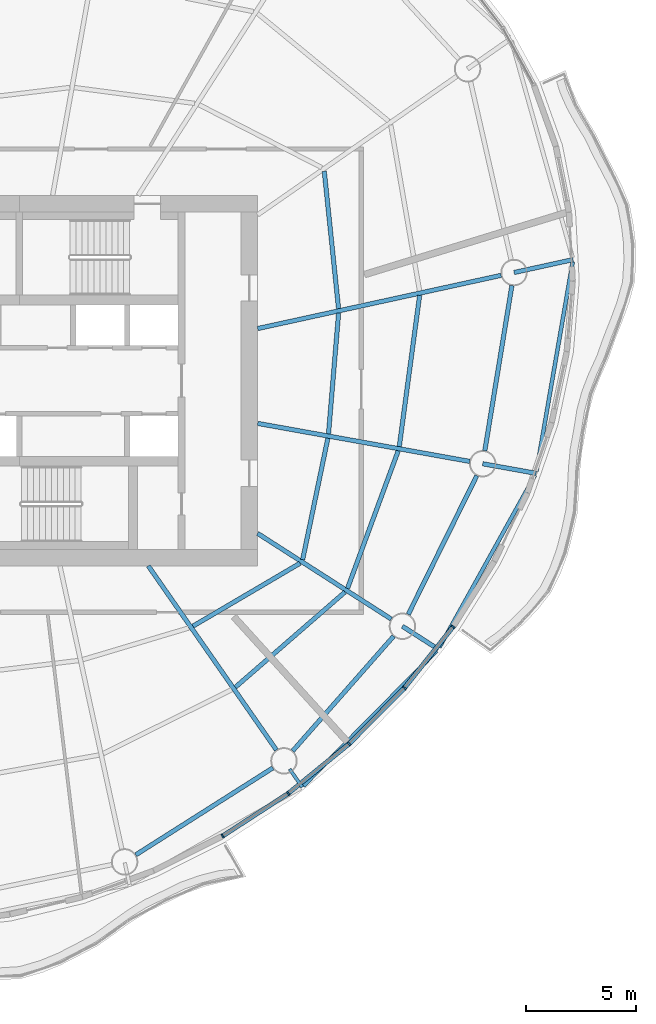
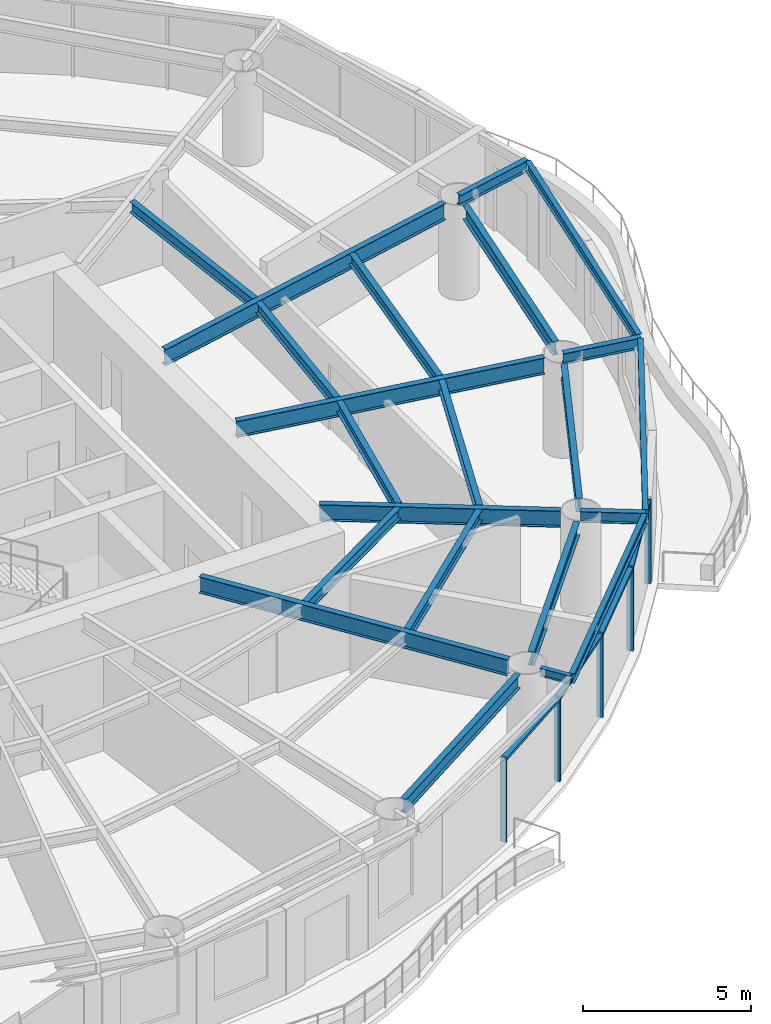
# One storey, part 4 of 14: 22 beams, 9 members, 4 elements without a shape of their own.
"""IFC4 building model written with IfcOpenShell, lengths in metres."""

from ifc_helpers import new_model, si_unit, direction, frame, origin, origin_2d, place, context, subcontext, project, spatial, rectangle, i_section, extrude, material, material_profile, profile_set, type_object, element, aggregate, save


model = new_model("IFC4")

# Units and contexts
model_context = context("Model", 3, precision=1e-05, world=origin(), true_north=direction((0.0, 1.0)))
body_context = subcontext(model_context, "Body", "Model", "MODEL_VIEW")
ifc_project = project(units=[si_unit("LENGTHUNIT", "METRE"), si_unit("AREAUNIT", "SQUARE_METRE"), si_unit("VOLUMEUNIT", "CUBIC_METRE"), si_unit("PLANEANGLEUNIT", "RADIAN"), si_unit("MASSUNIT", "GRAM", prefix="KILO")], contexts=[model_context])

# Site, building, storey
site_placement = place(None, origin())
site = spatial("IfcSite", under=ifc_project, at=site_placement, CompositionType="ELEMENT")
building_placement = place(site_placement, origin())
building = spatial("IfcBuilding", under=site, at=building_placement, Name="Vermilion Reach Broadcast Tower", CompositionType="ELEMENT")
storey_placement = place(building_placement, frame((0.0, 0.0, 202.89990234375)))
storey = spatial("IfcBuildingStorey", under=building, at=storey_placement, Name="L49", CompositionType="ELEMENT", Elevation=202.89990234375)

# Beams
ifc_material_1 = material(Name="Steel S355J2", Category="steel")
ifc_material_profile_1 = material_profile(ifc_material_1, i_section(OverallWidth=0.175048828125, OverallDepth=0.35009765625, WebThickness=0.007080078125, FlangeThickness=0.010986328125, at=origin_2d()), Name="S355J2 HN 350x175x7x11")
ifc_profile_set_1 = profile_set([ifc_material_profile_1], Name="Steel S355J2")
beam_type_1 = type_object("IfcBeamType", Name="EB4 HN 350x175x7x11", PredefinedType="BEAM", material=ifc_profile_set_1)
beam_1_placement = place(storey_placement, frame((6.875732421875, -18.373779296875, 3.275146484375), z_axis=(0.702580479624, 0.711604292884, 0.0), x_axis=(-0.711604292884, 0.702580479624, 0.0)))
element("IfcBeam", 1, at=beam_1_placement, inside=storey, type_object=beam_type_1, Name="Edge beam EB4-12", PredefinedType="BEAM", context=body_context, shape_type="SweptSolid", body=[
    extrude(i_section(OverallWidth=0.175048828125, OverallDepth=0.35009765625, WebThickness=0.007080078125, FlangeThickness=0.010986328125, at=origin_2d()), origin(), (0.0, 0.0, 1.0), 8.603515625),
])
beam_2_placement = place(storey_placement, frame((13.040771484375, -12.091064453125, 3.275146484375), z_axis=(0.485691735512, 0.87413016082, 0.0), x_axis=(-0.87413016082, 0.485691735512, 0.0)))
element("IfcBeam", 2, at=beam_2_placement, inside=storey, type_object=beam_type_1, Name="Edge beam EB4-13", PredefinedType="BEAM", context=body_context, shape_type="SweptSolid", body=[
    extrude(i_section(OverallWidth=0.175048828125, OverallDepth=0.35009765625, WebThickness=0.007080078125, FlangeThickness=0.010986328125, at=origin_2d()), origin(), (0.0, 0.0, 1.0), 8.919189453125),
])
beam_3_placement = place(storey_placement, frame((17.441162109375, -4.103515625, 3.275146484375), z_axis=(0.170557536441, 0.985347718708, 0.0), x_axis=(-0.985347718708, 0.170557536441, 0.0)))
element("IfcBeam", 3, at=beam_3_placement, inside=storey, type_object=beam_type_1, Name="Edge beam EB4-14", PredefinedType="BEAM", context=body_context, shape_type="SweptSolid", body=[
    extrude(i_section(OverallWidth=0.175048828125, OverallDepth=0.35009765625, WebThickness=0.007080078125, FlangeThickness=0.010986328125, at=origin_2d()), origin(), (0.0, 0.0, 1.0), 9.625),
])
ifc_material_2 = material(Name="Steel S355J2", Category="steel")
ifc_material_profile_2 = material_profile(ifc_material_2, i_section(OverallWidth=0.199951171875, OverallDepth=0.60009765625, WebThickness=0.010986328125, FlangeThickness=0.01708984375, at=origin_2d()), Name="S355J2 HN 600x200x11x17")
ifc_profile_set_2 = profile_set([ifc_material_profile_2], Name="Steel S355J2")
beam_type_2 = type_object("IfcBeamType", Name="G4 HN 600x200x11x17", PredefinedType="BEAM", material=ifc_profile_set_2)
beam_4_placement = place(storey_placement, frame((-0.1552734375, -8.39990234375, 3.150146484375), z_axis=(0.571134149017, -0.8208567377, 0.0), x_axis=(0.8208567377, 0.571134149017, 0.0)))
element("IfcBeam", 4, at=beam_4_placement, inside=storey, type_object=beam_type_2, Name="Girder G4-12", PredefinedType="BEAM", context=body_context, shape_type="SweptSolid", body=[
    extrude(i_section(OverallWidth=0.199951171875, OverallDepth=0.60009765625, WebThickness=0.010986328125, FlangeThickness=0.01708984375, at=origin_2d()), origin(), (0.0, 0.0, 1.0), 10.16552734375),
])
beam_5_placement = place(storey_placement, frame((4.800048828125, -6.925537109375, 3.150146484375), z_axis=(0.841798504642, -0.539791883584, 0.0), x_axis=(0.539791883584, 0.841798504642, 0.0)))
element("IfcBeam", 5, at=beam_5_placement, inside=storey, type_object=beam_type_2, Name="Girder G4-13", PredefinedType="BEAM", context=body_context, shape_type="SweptSolid", body=[
    extrude(i_section(OverallWidth=0.199951171875, OverallDepth=0.60009765625, WebThickness=0.010986328125, FlangeThickness=0.01708984375, at=origin_2d()), origin(), (0.0, 0.0, 1.0), 7.1962890625),
])
beam_6_placement = place(storey_placement, frame((4.800048828125, -1.9375, 3.150146484375), z_axis=(0.984291153273, -0.176552897422, 0.0), x_axis=(0.176552897422, 0.984291153273, 0.0)))
element("IfcBeam", 6, at=beam_6_placement, inside=storey, type_object=beam_type_2, Name="Girder G4-14", PredefinedType="BEAM", context=body_context, shape_type="SweptSolid", body=[
    extrude(i_section(OverallWidth=0.199951171875, OverallDepth=0.60009765625, WebThickness=0.010986328125, FlangeThickness=0.01708984375, at=origin_2d()), origin(), (0.0, 0.0, 1.0), 9.765380859375),
])
beam_7_placement = place(storey_placement, frame((4.800048828125, 2.360595703125, 3.150146484375), z_axis=(0.976930175286, 0.213558967537, 0.0), x_axis=(-0.213558967537, 0.976930175286, 0.0)))
element("IfcBeam", 7, at=beam_7_placement, inside=storey, type_object=beam_type_2, Name="Girder G4-15", PredefinedType="BEAM", context=body_context, shape_type="SweptSolid", body=[
    extrude(i_section(OverallWidth=0.199951171875, OverallDepth=0.60009765625, WebThickness=0.010986328125, FlangeThickness=0.01708984375, at=origin_2d()), origin(), (0.0, 0.0, 1.0), 11.29833984375),
])
ifc_material_3 = material(Name="Steel S355J2", Category="steel")
ifc_material_profile_3 = material_profile(ifc_material_3, i_section(OverallWidth=0.199951171875, OverallDepth=0.39990234375, WebThickness=0.008056640625, FlangeThickness=0.012939453125, at=origin_2d()), Name="S355J2 HN 400x200x8x13")
ifc_profile_set_3 = profile_set([ifc_material_profile_3], Name="Steel S355J2")
beam_type_3 = type_object("IfcBeamType", Name="GC4 HN 400x200x8x13", PredefinedType="BEAM", material=ifc_profile_set_3)
beam_8_placement = place(storey_placement, frame((11.36279296875, -11.134033203125, 3.25), z_axis=(0.841833583484, -0.539737174667, 0.0), x_axis=(0.539737174667, 0.841833583484, 0.0)))
element("IfcBeam", 8, at=beam_8_placement, inside=storey, type_object=beam_type_3, Name="Cantilever girder GC4-13", PredefinedType="BEAM", context=body_context, shape_type="SweptSolid", body=[
    extrude(i_section(OverallWidth=0.199951171875, OverallDepth=0.39990234375, WebThickness=0.008056640625, FlangeThickness=0.012939453125, at=origin_2d()), origin(), (0.0, 0.0, 1.0), 1.935546875),
])
beam_9_placement = place(storey_placement, frame((15.002685546875, -3.767578125, 3.25), z_axis=(0.984291112535, -0.176553124541, 0.0), x_axis=(0.176553124541, 0.984291112535, 0.0)))
element("IfcBeam", 9, at=beam_9_placement, inside=storey, type_object=beam_type_3, Name="Cantilever girder GC4-14", PredefinedType="BEAM", context=body_context, shape_type="SweptSolid", body=[
    extrude(i_section(OverallWidth=0.199951171875, OverallDepth=0.39990234375, WebThickness=0.008056640625, FlangeThickness=0.012939453125, at=origin_2d()), origin(), (0.0, 0.0, 1.0), 2.4599609375),
])
beam_10_placement = place(storey_placement, frame((16.423828125, 4.9013671875, 3.25), z_axis=(0.976919190568, 0.213609211177, 0.0), x_axis=(-0.213609211177, 0.976919190568, 0.0)))
element("IfcBeam", 10, at=beam_10_placement, inside=storey, type_object=beam_type_3, Name="Cantilever girder GC4-15", PredefinedType="BEAM", context=body_context, shape_type="SweptSolid", body=[
    extrude(i_section(OverallWidth=0.199951171875, OverallDepth=0.39990234375, WebThickness=0.008056640625, FlangeThickness=0.012939453125, at=origin_2d()), origin(), (0.0, 0.0, 1.0), 2.74072265625),
])
ifc_material_4 = material(Name="Steel S355J2", Category="steel")
ifc_material_profile_4 = material_profile(ifc_material_4, i_section(OverallWidth=0.14990234375, OverallDepth=0.300048828125, WebThickness=0.006591796875, FlangeThickness=0.009033203125, at=origin_2d()), Name="S355J2 HN 300x150x6.5x9")
ifc_profile_set_4 = profile_set([ifc_material_profile_4], Name="Steel S355J2")
beam_type_4 = type_object("IfcBeamType", Name="GS4 HN 300x150x6.5x9", PredefinedType="BEAM", material=ifc_profile_set_4)
beam_11_placement = place(storey_placement, frame((6.2509765625, -17.607177734375, 3.300048828125), z_axis=(0.571150302207, -0.820845498428, 0.0), x_axis=(0.820845498428, 0.571150302207, 0.0)))
element("IfcBeam", 11, at=beam_11_placement, inside=storey, type_object=beam_type_4, Name="Cantilever stub GS4-12", PredefinedType="BEAM", context=body_context, shape_type="SweptSolid", body=[
    extrude(i_section(OverallWidth=0.14990234375, OverallDepth=0.300048828125, WebThickness=0.006591796875, FlangeThickness=0.009033203125, at=origin_2d()), origin(), (0.0, 0.0, 1.0), 1.000244140625),
])
ifc_material_5 = material(Name="Steel S355J2", Category="steel")
ifc_material_profile_5 = material_profile(ifc_material_5, i_section(OverallWidth=0.199951171875, OverallDepth=0.5, WebThickness=0.010009765625, FlangeThickness=0.01611328125, at=origin_2d()), Name="S355J2 HN 500x200x10x16")
ifc_profile_set_5 = profile_set([ifc_material_profile_5], Name="Steel S355J2")
beam_type_5 = type_object("IfcBeamType", Name="RB4 HN 500x200x10x16", PredefinedType="BEAM", material=ifc_profile_set_5)
beam_12_placement = place(storey_placement, frame((-0.72412109375, -21.497314453125, 3.2001953125), z_axis=(0.84446426774, 0.535611893549, 0.0), x_axis=(-0.535611893549, 0.84446426774, 0.0)))
element("IfcBeam", 12, at=beam_12_placement, inside=storey, type_object=beam_type_5, Name="Ring beam RB4-11", PredefinedType="BEAM", context=body_context, shape_type="SweptSolid", body=[
    extrude(i_section(OverallWidth=0.199951171875, OverallDepth=0.5, WebThickness=0.010009765625, FlangeThickness=0.01611328125, at=origin_2d()), origin(), (0.0, 0.0, 1.0), 7.3544921875),
])
beam_13_placement = place(storey_placement, frame((6.3896484375, -16.786376953125, 3.2001953125), z_axis=(0.660565141761, 0.750768735024, 0.0), x_axis=(-0.750768735024, 0.660565141761, 0.0)))
element("IfcBeam", 13, at=beam_13_placement, inside=storey, type_object=beam_type_5, Name="Ring beam RB4-12", PredefinedType="BEAM", context=body_context, shape_type="SweptSolid", body=[
    extrude(i_section(OverallWidth=0.199951171875, OverallDepth=0.5, WebThickness=0.010009765625, FlangeThickness=0.01611328125, at=origin_2d()), origin(), (0.0, 0.0, 1.0), 6.9287109375),
])
beam_14_placement = place(storey_placement, frame((11.628662109375, -10.595947265625, 3.2001953125), z_axis=(0.442977497199, 0.896532730566, 0.0), x_axis=(-0.896532730566, 0.442977497199, 0.0)))
element("IfcBeam", 14, at=beam_14_placement, inside=storey, type_object=beam_type_5, Name="Ring beam RB4-13", PredefinedType="BEAM", context=body_context, shape_type="SweptSolid", body=[
    extrude(i_section(OverallWidth=0.199951171875, OverallDepth=0.5, WebThickness=0.010009765625, FlangeThickness=0.01611328125, at=origin_2d()), origin(), (0.0, 0.0, 1.0), 7.0166015625),
])
beam_15_placement = place(storey_placement, frame((15.099609375, -3.175537109375, 3.2001953125), z_axis=(0.161778110263, 0.986827159659, 0.0), x_axis=(-0.986827159659, 0.161778110263, 0.0)))
element("IfcBeam", 15, at=beam_15_placement, inside=storey, type_object=beam_type_5, Name="Ring beam RB4-14", PredefinedType="BEAM", context=body_context, shape_type="SweptSolid", body=[
    extrude(i_section(OverallWidth=0.199951171875, OverallDepth=0.5, WebThickness=0.010009765625, FlangeThickness=0.01611328125, at=origin_2d()), origin(), (0.0, 0.0, 1.0), 7.584716796875),
])
ifc_material_6 = material(Name="Steel S355J2", Category="steel")
ifc_material_profile_6 = material_profile(ifc_material_6, i_section(OverallWidth=0.199951171875, OverallDepth=0.39990234375, WebThickness=0.008056640625, FlangeThickness=0.012939453125, at=origin_2d()), Name="S355J2 HN 400x200x8x13")
ifc_profile_set_6 = profile_set([ifc_material_profile_6], Name="Steel S355J2")
beam_type_6 = type_object("IfcBeamType", Name="SB4 HN 400x200x8x13", PredefinedType="BEAM", material=ifc_profile_set_6)
beam_16_placement = place(storey_placement, frame((1.866455078125, -11.130615234375, 3.25), z_axis=(0.862172572268, 0.506614701356, 0.0), x_axis=(-0.506614701356, 0.862172572268, 0.0)))
element("IfcBeam", 16, at=beam_16_placement, inside=storey, type_object=beam_type_6, Name="Secondary beam SB4-12-1", PredefinedType="BEAM", context=body_context, shape_type="SweptSolid", body=[
    extrude(i_section(OverallWidth=0.199951171875, OverallDepth=0.39990234375, WebThickness=0.008056640625, FlangeThickness=0.012939453125, at=origin_2d()), origin(), (0.0, 0.0, 1.0), 5.632568359375),
])
beam_17_placement = place(storey_placement, frame((3.791259765625, -13.89697265625, 3.25), z_axis=(0.755129308567, 0.655575874589, 0.0), x_axis=(-0.655575874589, 0.755129308567, 0.0)))
element("IfcBeam", 17, at=beam_17_placement, inside=storey, type_object=beam_type_6, Name="Secondary beam SB4-12-2", PredefinedType="BEAM", context=body_context, shape_type="SweptSolid", body=[
    extrude(i_section(OverallWidth=0.199951171875, OverallDepth=0.39990234375, WebThickness=0.008056640625, FlangeThickness=0.012939453125, at=origin_2d()), origin(), (0.0, 0.0, 1.0), 6.57958984375),
])
beam_18_placement = place(storey_placement, frame((6.841064453125, -8.115478515625, 3.25), z_axis=(0.20320860258, 0.979135467562, 0.0), x_axis=(-0.979135467562, 0.20320860258, 0.0)))
element("IfcBeam", 18, at=beam_18_placement, inside=storey, type_object=beam_type_6, Name="Secondary beam SB4-13-1", PredefinedType="BEAM", context=body_context, shape_type="SweptSolid", body=[
    extrude(i_section(OverallWidth=0.199951171875, OverallDepth=0.39990234375, WebThickness=0.008056640625, FlangeThickness=0.012939453125, at=origin_2d()), origin(), (0.0, 0.0, 1.0), 5.622802734375),
])
beam_19_placement = place(storey_placement, frame((8.8740234375, -9.419189453125, 3.25), z_axis=(0.345833008621, 0.938296078084, 0.0), x_axis=(-0.938296078084, 0.345833008621, 0.0)))
element("IfcBeam", 19, at=beam_19_placement, inside=storey, type_object=beam_type_6, Name="Secondary beam SB4-13-2", PredefinedType="BEAM", context=body_context, shape_type="SweptSolid", body=[
    extrude(i_section(OverallWidth=0.199951171875, OverallDepth=0.39990234375, WebThickness=0.008056640625, FlangeThickness=0.012939453125, at=origin_2d()), origin(), (0.0, 0.0, 1.0), 6.647216796875),
])
beam_20_placement = place(storey_placement, frame((8.012451171875, -2.412109375, 3.25), z_axis=(0.08339866655, 0.996516262997, 0.0), x_axis=(-0.996516262997, 0.08339866655, 0.0)))
element("IfcBeam", 20, at=beam_20_placement, inside=storey, type_object=beam_type_6, Name="Secondary beam SB4-14-1", PredefinedType="BEAM", context=body_context, shape_type="SweptSolid", body=[
    extrude(i_section(OverallWidth=0.199951171875, OverallDepth=0.39990234375, WebThickness=0.008056640625, FlangeThickness=0.012939453125, at=origin_2d()), origin(), (0.0, 0.0, 1.0), 5.49169921875),
])
beam_21_placement = place(storey_placement, frame((11.221435546875, -2.98779296875, 3.25), z_axis=(0.133486718782, 0.991050602093, 0.0), x_axis=(-0.991050602093, 0.133486718782, 0.0)))
element("IfcBeam", 21, at=beam_21_placement, inside=storey, type_object=beam_type_6, Name="Secondary beam SB4-14-2", PredefinedType="BEAM", context=body_context, shape_type="SweptSolid", body=[
    extrude(i_section(OverallWidth=0.199951171875, OverallDepth=0.39990234375, WebThickness=0.008056640625, FlangeThickness=0.012939453125, at=origin_2d()), origin(), (0.0, 0.0, 1.0), 6.913330078125),
])
beam_22_placement = place(storey_placement, frame((8.46875, 3.264892578125, 3.25), z_axis=(-0.103532173355, 0.994626105167, 0.0), x_axis=(-0.994626105167, -0.103532173355, 0.0)))
element("IfcBeam", 22, at=beam_22_placement, inside=storey, type_object=beam_type_6, Name="Secondary beam SB4-15-1", PredefinedType="BEAM", context=body_context, shape_type="SweptSolid", body=[
    extrude(i_section(OverallWidth=0.199951171875, OverallDepth=0.39990234375, WebThickness=0.008056640625, FlangeThickness=0.012939453125, at=origin_2d()), origin(), (0.0, 0.0, 1.0), 6.26318359375),
])

# Curtain wall, member
ifc_material_7 = material(Name="Low-e laminated clear glass in aluminium frame", Category="aluminium")
curtain_wall_type = type_object("IfcCurtainWallType", Name="Slot curtain wall", PredefinedType="NOTDEFINED", material=ifc_material_7)
placement = place(storey_placement, origin())
curtain_wall_1 = element("IfcCurtainWall", 23, at=placement, inside=storey, type_object=curtain_wall_type, Name="Slot curtain wall L49 34", PredefinedType="NOTDEFINED")
ifc_material_8 = material(Name="Anodised aluminium", Category="aluminium")
ifc_material_profile_7 = material_profile(ifc_material_8, rectangle(XDim=0.199951171875, YDim=0.080078125, at=origin_2d()), Name="Slot mullion 80 x 200")
ifc_profile_set_7 = profile_set([ifc_material_profile_7], Name="Anodised aluminium")
member_type_1 = type_object("IfcMemberType", Name="Slot mullion 80 x 200", PredefinedType="MULLION", material=ifc_profile_set_7)
member_1_placement = place(storey_placement, frame((3.21533203125, -20.642822265625, 0.0), z_axis=(0.0, 0.0, 1.0), x_axis=(-0.497564622202, 0.867426911465, 0.0)))
member_1 = element("IfcMember", 24, at=member_1_placement, type_object=member_type_1, Name="Slot mullion L49 34", PredefinedType="MULLION", context=body_context, shape_type="SweptSolid", body=[
    extrude(rectangle(XDim=0.199951171875, YDim=0.080078125, at=origin_2d()), origin(), (0.0, 0.0, 1.0), 3.050048828125),
])

curtain_wall_2 = element("IfcCurtainWall", 25, at=placement, inside=storey, type_object=curtain_wall_type, Name="Slot curtain wall L49 35", PredefinedType="NOTDEFINED")
member_2_placement = place(storey_placement, frame((6.18701171875, -18.714111328125, 0.0), z_axis=(0.0, 0.0, 1.0), x_axis=(-0.588830639334, 0.808256443328, 0.0)))
member_2 = element("IfcMember", 26, at=member_2_placement, type_object=member_type_1, Name="Slot mullion L49 35", PredefinedType="MULLION", context=body_context, shape_type="SweptSolid", body=[
    extrude(rectangle(XDim=0.199951171875, YDim=0.080078125, at=origin_2d()), origin(), (0.0, 0.0, 1.0), 3.050048828125),
])

curtain_wall_3 = element("IfcCurtainWall", 27, at=placement, inside=storey, type_object=curtain_wall_type, Name="Slot curtain wall L49 36", PredefinedType="NOTDEFINED")
member_3_placement = place(storey_placement, frame((8.949462890625, -16.4638671875, 0.0), z_axis=(0.0, 0.0, 1.0), x_axis=(-0.672237540502, 0.740335524705, 0.0)))
member_3 = element("IfcMember", 28, at=member_3_placement, type_object=member_type_1, Name="Slot mullion L49 36", PredefinedType="MULLION", context=body_context, shape_type="SweptSolid", body=[
    extrude(rectangle(XDim=0.199951171875, YDim=0.080078125, at=origin_2d()), origin(), (0.0, 0.0, 1.0), 3.050048828125),
])

# Curtain wall, members
curtain_wall_4 = element("IfcCurtainWall", 29, at=placement, inside=storey, type_object=curtain_wall_type, Name="Slot curtain wall L49 37", PredefinedType="NOTDEFINED")
member_4_placement = place(storey_placement, frame((11.455078125, -13.9306640625, 0.0), z_axis=(0.0, 0.0, 1.0), x_axis=(-0.747866767574, 0.663848851742, 0.0)))
member_4 = element("IfcMember", 30, at=member_4_placement, type_object=member_type_1, Name="Slot mullion L49 37", PredefinedType="MULLION", context=body_context, shape_type="SweptSolid", body=[
    extrude(rectangle(XDim=0.199951171875, YDim=0.080078125, at=origin_2d()), origin(), (0.0, 0.0, 1.0), 3.050048828125),
])
member_5_placement = place(storey_placement, frame((13.66064453125, -11.158203125, 0.0), z_axis=(0.0, 0.0, 1.0), x_axis=(-0.815542088164, 0.578697764324, 0.0)))
member_5 = element("IfcMember", 31, at=member_5_placement, type_object=member_type_1, Name="Slot mullion L49 38", PredefinedType="MULLION", context=body_context, shape_type="SweptSolid", body=[
    extrude(rectangle(XDim=0.199951171875, YDim=0.080078125, at=origin_2d()), origin(), (0.0, 0.0, 1.0), 3.050048828125),
])

# Member
ifc_material_9 = material(Name="Anodised aluminium", Category="aluminium")
ifc_material_profile_8 = material_profile(ifc_material_9, rectangle(XDim=0.199951171875, YDim=0.10009765625, at=origin_2d()), Name="Slot transom 200 x 100")
ifc_profile_set_8 = profile_set([ifc_material_profile_8], Name="Anodised aluminium")
member_type_2 = type_object("IfcMemberType", Name="Slot transom 200 x 100", PredefinedType="USERDEFINED", material=ifc_profile_set_8)
member_6_placement = place(storey_placement, frame((3.2490234375, -20.620849609375, 3.0), z_axis=(0.838863827656, 0.544341325503, 0.0), x_axis=(-0.544341325503, 0.838863827656, 0.0)))
member_6 = element("IfcMember", 32, at=member_6_placement, type_object=member_type_2, Name="Slot transom L49 34.1", ObjectType="TRANSOM", PredefinedType="USERDEFINED", context=body_context, shape_type="SweptSolid", body=[
    extrude(rectangle(XDim=0.199951171875, YDim=0.10009765625, at=origin_2d()), origin(), (0.0, 0.0, 1.0), 3.46240234375),
])

aggregate(curtain_wall_1, [member_1, member_6])

member_7_placement = place(storey_placement, frame((6.218017578125, -18.68896484375, 3.0), z_axis=(0.775326511837, 0.631560606785, 0.0), x_axis=(-0.631560606785, 0.775326511837, 0.0)))
member_7 = element("IfcMember", 33, at=member_7_placement, type_object=member_type_2, Name="Slot transom L49 35.1", ObjectType="TRANSOM", PredefinedType="USERDEFINED", context=body_context, shape_type="SweptSolid", body=[
    extrude(rectangle(XDim=0.199951171875, YDim=0.10009765625, at=origin_2d()), origin(), (0.0, 0.0, 1.0), 3.48291015625),
])

aggregate(curtain_wall_2, [member_2, member_7])

member_8_placement = place(storey_placement, frame((8.9775390625, -16.435546875, 3.0), z_axis=(0.70324116763, 0.710951376784, 0.0), x_axis=(-0.710951376784, 0.70324116763, 0.0)))
member_8 = element("IfcMember", 34, at=member_8_placement, type_object=member_type_2, Name="Slot transom L49 36.1", ObjectType="TRANSOM", PredefinedType="USERDEFINED", context=body_context, shape_type="SweptSolid", body=[
    extrude(rectangle(XDim=0.199951171875, YDim=0.10009765625, at=origin_2d()), origin(), (0.0, 0.0, 1.0), 3.483154296875),
])

aggregate(curtain_wall_3, [member_3, member_8])

member_9_placement = place(storey_placement, frame((11.47998046875, -13.8994140625, 3.0), z_axis=(0.62257754319, 0.782558114593, 0.0), x_axis=(-0.782558114593, 0.62257754319, 0.0)))
member_9 = element("IfcMember", 35, at=member_9_placement, type_object=member_type_2, Name="Slot transom L49 37.1", ObjectType="TRANSOM", PredefinedType="USERDEFINED", context=body_context, shape_type="SweptSolid", body=[
    extrude(rectangle(XDim=0.199951171875, YDim=0.10009765625, at=origin_2d()), origin(), (0.0, 0.0, 1.0), 3.462646484375),
])

aggregate(curtain_wall_4, [member_4, member_5, member_9])

save(model, "model.ifc")
